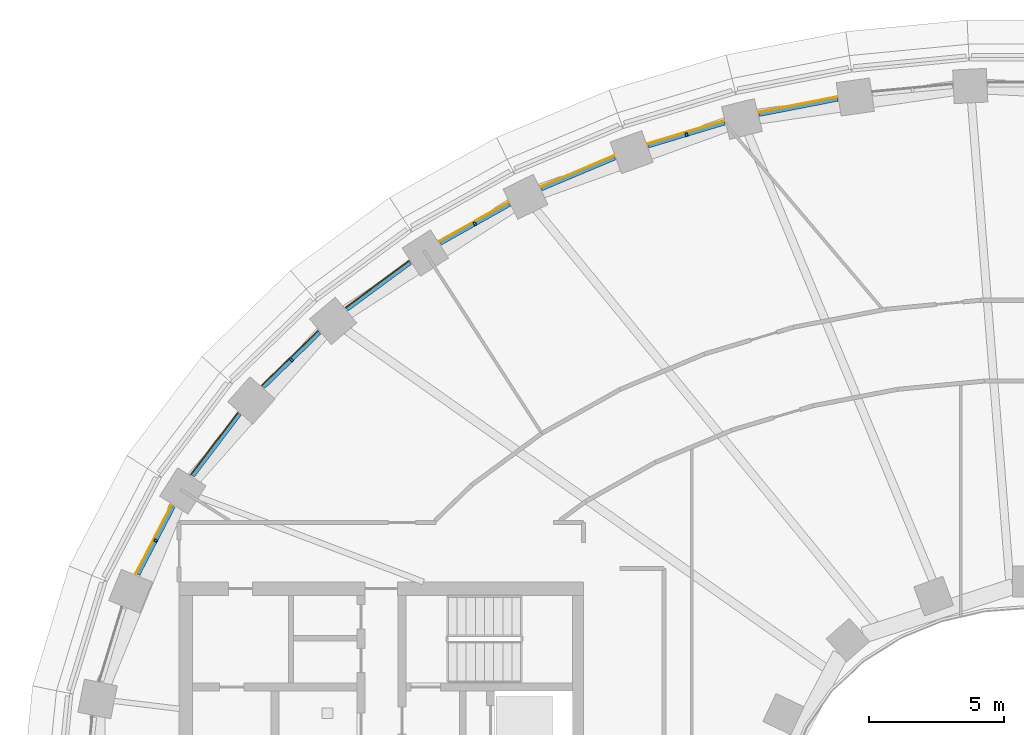
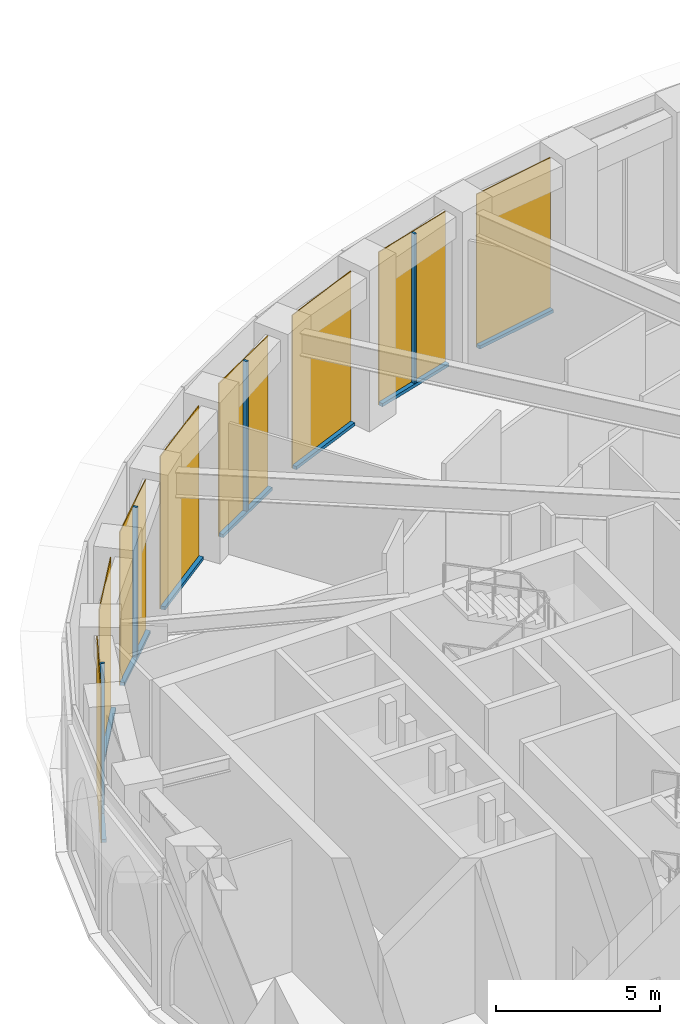
# One storey, part 13 of 23: 12 members, 8 curtain walls.
"""IFC4 building model written with IfcOpenShell, lengths in metres."""

from ifc_helpers import new_model, si_unit, direction, frame, origin, origin_2d, place, context, subcontext, project, spatial, polyline, rectangle, outline, extrude, material, layer, layer_set, material_profile, profile_set, type_object, element, aggregate, save


model = new_model("IFC4")

# Units and contexts
model_context = context("Model", 3, precision=1e-05, world=origin(), true_north=direction((0.0, 1.0)))
body_context = subcontext(model_context, "Body", "Model", "MODEL_VIEW")
ifc_project = project(units=[si_unit("LENGTHUNIT", "METRE"), si_unit("AREAUNIT", "SQUARE_METRE"), si_unit("VOLUMEUNIT", "CUBIC_METRE"), si_unit("PLANEANGLEUNIT", "RADIAN"), si_unit("MASSUNIT", "GRAM", prefix="KILO")], contexts=[model_context])

# Member
ifc_material_1 = material(Name="Aluminium 6063-T6 black anodised", Category="aluminium")
ifc_material_profile = material_profile(ifc_material_1, rectangle(XDim=0.14990234375, YDim=0.080078125, at=origin_2d()), Name="150x80")
ifc_profile_set = profile_set([ifc_material_profile], Name="Aluminium 6063-T6 black anodised")
member_type_1 = type_object("IfcMemberType", Name="ENV-MULLION-B-150", PredefinedType="MULLION", material=ifc_profile_set)
site_placement = place(None, origin())
building_placement = place(site_placement, origin())
storey_placement = place(building_placement, frame((0.0, 0.0, 140.0)))
member_1_placement = place(storey_placement, frame((-12.673828125, 25.098388671875, 0.1201171875), z_axis=(0.0, 0.0, 1.0), x_axis=(0.28817445525, -0.957577925467, 0.0)))
member_1 = element("IfcMember", 1, at=member_1_placement, type_object=member_type_1, Name="Mullion B chord 15", PredefinedType="MULLION", context=body_context, shape_type="SweptSolid", body=[
    extrude(rectangle(XDim=0.14990234375, YDim=0.080078125, at=origin_2d()), origin(), (0.0, 0.0, 1.0), 5.579833984375),
])

member_2_placement = place(storey_placement, frame((-20.525634765625, 21.780029296875, 0.1201171875), z_axis=(0.0, 0.0, 1.0), x_axis=(0.48942643941, -0.872044586249, 0.0)))
member_2 = element("IfcMember", 2, at=member_2_placement, type_object=member_type_1, Name="Mullion B chord 17", PredefinedType="MULLION", context=body_context, shape_type="SweptSolid", body=[
    extrude(rectangle(XDim=0.14990234375, YDim=0.080078125, at=origin_2d()), origin(), (0.0, 0.0, 1.0), 5.579833984375),
])

member_3_placement = place(storey_placement, frame((-27.3310546875, 16.73583984375, 0.1201171875), z_axis=(0.0, 0.0, 1.0), x_axis=(0.696842125038, -0.717224548362, 0.0)))
member_3 = element("IfcMember", 3, at=member_3_placement, type_object=member_type_1, Name="Mullion B chord 19", PredefinedType="MULLION", context=body_context, shape_type="SweptSolid", body=[
    extrude(rectangle(XDim=0.14990234375, YDim=0.080078125, at=origin_2d()), origin(), (0.0, 0.0, 1.0), 5.579833984375),
])

member_4_placement = place(storey_placement, frame((-32.37353515625, 10.029541015625, 0.1201171875), z_axis=(0.0, 0.0, 1.0), x_axis=(0.88673501754, -0.462278064231, 0.0)))
member_4 = element("IfcMember", 4, at=member_4_placement, type_object=member_type_1, Name="Mullion B chord 21", PredefinedType="MULLION", context=body_context, shape_type="SweptSolid", body=[
    extrude(rectangle(XDim=0.14990234375, YDim=0.080078125, at=origin_2d()), origin(), (0.0, 0.0, 1.0), 5.579833984375),
])

ifc_material_2 = material(Name="Aluminium 6063-T6 black anodised", Category="aluminium")
member_type_2 = type_object("IfcMemberType", Name="ENV-TRANSOM-B", PredefinedType="USERDEFINED", material=ifc_material_2)
member_5_placement = place(storey_placement, origin())
member_5 = element("IfcMember", 5, at=member_5_placement, type_object=member_type_2, Name="Transom B radial 14-15", ObjectType="TRANSOM", PredefinedType="USERDEFINED", context=body_context, shape_type="SweptSolid", body=[
    extrude(outline(polyline([(-7.068603515625, 26.48291015625), (-9.998046875, 25.913330078125), (-9.9619140625, 25.767578125), (-7.047119140625, 26.334228515625), (-7.068603515625, 26.48291015625)])), origin(), (0.0, 0.0, 1.0), 0.1201171875),
])

member_6_placement = place(storey_placement, origin())
member_6 = element("IfcMember", 6, at=member_6_placement, type_object=member_type_2, Name="Transom B radial 15-16", ObjectType="TRANSOM", PredefinedType="USERDEFINED", context=body_context, shape_type="SweptSolid", body=[
    extrude(outline(polyline([(-11.269287109375, 25.599365234375), (-14.1201171875, 24.741455078125), (-14.0693359375, 24.60009765625), (-11.2333984375, 25.45361328125), (-11.269287109375, 25.599365234375)])), origin(), (0.0, 0.0, 1.0), 0.1201171875),
])

member_7_placement = place(storey_placement, origin())
member_7 = element("IfcMember", 7, at=member_7_placement, type_object=member_type_2, Name="Transom B radial 16-17", ObjectType="TRANSOM", PredefinedType="USERDEFINED", context=body_context, shape_type="SweptSolid", body=[
    extrude(outline(polyline([(-15.355224609375, 24.29736328125), (-18.09033203125, 23.147216796875), (-18.0244140625, 23.01220703125), (-15.304443359375, 24.156005859375), (-15.355224609375, 24.29736328125)])), origin(), (0.0, 0.0, 1.0), 0.1201171875),
])

member_8_placement = place(storey_placement, origin())
member_8 = element("IfcMember", 8, at=member_8_placement, type_object=member_type_2, Name="Transom B radial 17-18", ObjectType="TRANSOM", PredefinedType="USERDEFINED", context=body_context, shape_type="SweptSolid", body=[
    extrude(outline(polyline([(-19.273193359375, 22.56884765625), (-21.848388671875, 21.12353515625), (-21.76708984375, 20.997314453125), (-19.207275390625, 22.433837890625), (-19.273193359375, 22.56884765625)])), origin(), (0.0, 0.0, 1.0), 0.1201171875),
])

member_9_placement = place(storey_placement, origin())
member_9 = element("IfcMember", 9, at=member_9_placement, type_object=member_type_2, Name="Transom B radial 18-19", ObjectType="TRANSOM", PredefinedType="USERDEFINED", context=body_context, shape_type="SweptSolid", body=[
    extrude(outline(polyline([(-22.95947265625, 20.406494140625), (-25.322998046875, 18.66552734375), (-25.2255859375, 18.55078125), (-22.8779296875, 20.2802734375), (-22.95947265625, 20.406494140625)])), origin(), (0.0, 0.0, 1.0), 0.1201171875),
])

member_10_placement = place(storey_placement, origin())
member_10 = element("IfcMember", 10, at=member_10_placement, type_object=member_type_2, Name="Transom B radial 19-20", ObjectType="TRANSOM", PredefinedType="USERDEFINED", context=body_context, shape_type="SweptSolid", body=[
    extrude(outline(polyline([(-26.3369140625, 17.806396484375), (-28.426513671875, 15.776123046875), (-28.31396484375, 15.676513671875), (-26.23974609375, 17.691650390625), (-26.3369140625, 17.806396484375)])), origin(), (0.0, 0.0, 1.0), 0.1201171875),
])

member_11_placement = place(storey_placement, origin())
member_11 = element("IfcMember", 11, at=member_11_placement, type_object=member_type_2, Name="Transom B radial 20-21", ObjectType="TRANSOM", PredefinedType="USERDEFINED", context=body_context, shape_type="SweptSolid", body=[
    extrude(outline(polyline([(-29.3125, 14.7744140625), (-31.05712890625, 12.47265625), (-30.929931640625, 12.39208984375), (-29.19970703125, 14.6748046875), (-29.3125, 14.7744140625)])), origin(), (0.0, 0.0, 1.0), 0.1201171875),
])

member_12_placement = place(storey_placement, origin())
member_12 = element("IfcMember", 12, at=member_12_placement, type_object=member_type_2, Name="Transom B radial 21-22", ObjectType="TRANSOM", PredefinedType="USERDEFINED", context=body_context, shape_type="SweptSolid", body=[
    extrude(outline(polyline([(-31.777099609375, 11.33544921875), (-33.1005859375, 8.797119140625), (-32.961181640625, 8.739990234375), (-31.650146484375, 11.2548828125), (-31.777099609375, 11.33544921875)])), origin(), (0.0, 0.0, 1.0), 0.1201171875),
])

# Site, building, storey
site = spatial("IfcSite", under=ifc_project, at=site_placement, CompositionType="ELEMENT")
building = spatial("IfcBuilding", under=site, at=building_placement, Name="Noorbagh Ring Tower", CompositionType="ELEMENT")
storey = spatial("IfcBuildingStorey", under=building, at=storey_placement, Name="L32", CompositionType="ELEMENT", Elevation=140.0)

# Curtain wall
ifc_material_3 = material(Name="Glass dark tinted laminated", Category="glass")
ifc_layer = layer(ifc_material_3, 0.031982421875)
ifc_layer_set = layer_set([ifc_layer], Name="Glass dark tinted laminated")
curtain_wall_type = type_object("IfcCurtainWallType", Name="ENV-CW-B", PredefinedType="NOTDEFINED", material=ifc_layer_set)
curtain_wall_1_placement = place(storey_placement, origin())
curtain_wall_1 = element("IfcCurtainWall", 13, at=curtain_wall_1_placement, inside=storey, type_object=curtain_wall_type, Name="Curtain wall B R14", PredefinedType="NOTDEFINED", context=body_context, shape_type="SweptSolid", body=[
    extrude(outline(polyline([(-7.0732421875, 26.5146484375), (-10.005615234375, 25.944580078125), (-9.998046875, 25.913330078125), (-7.068603515625, 26.48291015625), (-7.0732421875, 26.5146484375)])), origin(), (0.0, 0.0, 1.0), 5.699951171875),
])

aggregate(curtain_wall_1, [member_5])

curtain_wall_2_placement = place(storey_placement, origin())
curtain_wall_2 = element("IfcCurtainWall", 14, at=curtain_wall_2_placement, inside=storey, type_object=curtain_wall_type, Name="Curtain wall B R15", PredefinedType="NOTDEFINED", context=body_context, shape_type="SweptSolid", body=[
    extrude(outline(polyline([(-11.277099609375, 25.630615234375), (-14.131103515625, 24.771484375), (-14.1201171875, 24.741455078125), (-11.269287109375, 25.599365234375), (-11.277099609375, 25.630615234375)])), origin(), (0.0, 0.0, 1.0), 5.699951171875),
])

aggregate(curtain_wall_2, [member_1, member_6])

curtain_wall_3_placement = place(storey_placement, origin())
curtain_wall_3 = element("IfcCurtainWall", 15, at=curtain_wall_3_placement, inside=storey, type_object=curtain_wall_type, Name="Curtain wall B R16", PredefinedType="NOTDEFINED", context=body_context, shape_type="SweptSolid", body=[
    extrude(outline(polyline([(-15.3662109375, 24.327392578125), (-18.1044921875, 23.176025390625), (-18.09033203125, 23.147216796875), (-15.355224609375, 24.29736328125), (-15.3662109375, 24.327392578125)])), origin(), (0.0, 0.0, 1.0), 5.699951171875),
])

aggregate(curtain_wall_3, [member_7])

curtain_wall_4_placement = place(storey_placement, origin())
curtain_wall_4 = element("IfcCurtainWall", 16, at=curtain_wall_4_placement, inside=storey, type_object=curtain_wall_type, Name="Curtain wall B R17", PredefinedType="NOTDEFINED", context=body_context, shape_type="SweptSolid", body=[
    extrude(outline(polyline([(-19.287353515625, 22.59765625), (-21.865966796875, 21.150390625), (-21.848388671875, 21.12353515625), (-19.273193359375, 22.56884765625), (-19.287353515625, 22.59765625)])), origin(), (0.0, 0.0, 1.0), 5.699951171875),
])

aggregate(curtain_wall_4, [member_2, member_8])

curtain_wall_5_placement = place(storey_placement, origin())
curtain_wall_5 = element("IfcCurtainWall", 17, at=curtain_wall_5_placement, inside=storey, type_object=curtain_wall_type, Name="Curtain wall B R18", PredefinedType="NOTDEFINED", context=body_context, shape_type="SweptSolid", body=[
    extrude(outline(polyline([(-22.976806640625, 20.433349609375), (-25.343505859375, 18.690185546875), (-25.322998046875, 18.66552734375), (-22.95947265625, 20.406494140625), (-22.976806640625, 20.433349609375)])), origin(), (0.0, 0.0, 1.0), 5.699951171875),
])

aggregate(curtain_wall_5, [member_9])

curtain_wall_6_placement = place(storey_placement, origin())
curtain_wall_6 = element("IfcCurtainWall", 18, at=curtain_wall_6_placement, inside=storey, type_object=curtain_wall_type, Name="Curtain wall B R19", PredefinedType="NOTDEFINED", context=body_context, shape_type="SweptSolid", body=[
    extrude(outline(polyline([(-26.357666015625, 17.830810546875), (-28.45068359375, 15.79736328125), (-28.426513671875, 15.776123046875), (-26.3369140625, 17.806396484375), (-26.357666015625, 17.830810546875)])), origin(), (0.0, 0.0, 1.0), 5.699951171875),
])

aggregate(curtain_wall_6, [member_3, member_10])

curtain_wall_7_placement = place(storey_placement, origin())
curtain_wall_7 = element("IfcCurtainWall", 19, at=curtain_wall_7_placement, inside=storey, type_object=curtain_wall_type, Name="Curtain wall B R20", PredefinedType="NOTDEFINED", context=body_context, shape_type="SweptSolid", body=[
    extrude(outline(polyline([(-29.33642578125, 14.7958984375), (-31.084228515625, 12.48974609375), (-31.05712890625, 12.47265625), (-29.3125, 14.7744140625), (-29.33642578125, 14.7958984375)])), origin(), (0.0, 0.0, 1.0), 5.699951171875),
])

aggregate(curtain_wall_7, [member_11])

curtain_wall_8_placement = place(storey_placement, origin())
curtain_wall_8 = element("IfcCurtainWall", 20, at=curtain_wall_8_placement, inside=storey, type_object=curtain_wall_type, Name="Curtain wall B R21", PredefinedType="NOTDEFINED", context=body_context, shape_type="SweptSolid", body=[
    extrude(outline(polyline([(-31.804443359375, 11.352783203125), (-33.13037109375, 8.809326171875), (-33.1005859375, 8.797119140625), (-31.777099609375, 11.33544921875), (-31.804443359375, 11.352783203125)])), origin(), (0.0, 0.0, 1.0), 5.699951171875),
])

aggregate(curtain_wall_8, [member_4, member_12])

save(model, "model.ifc")
